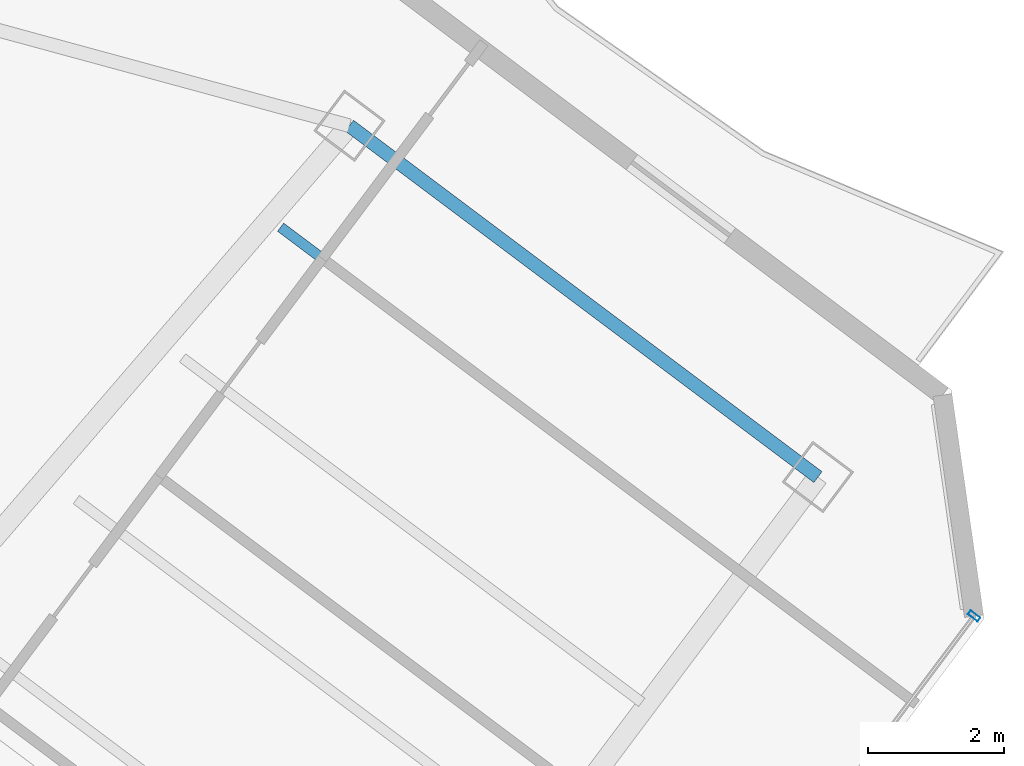
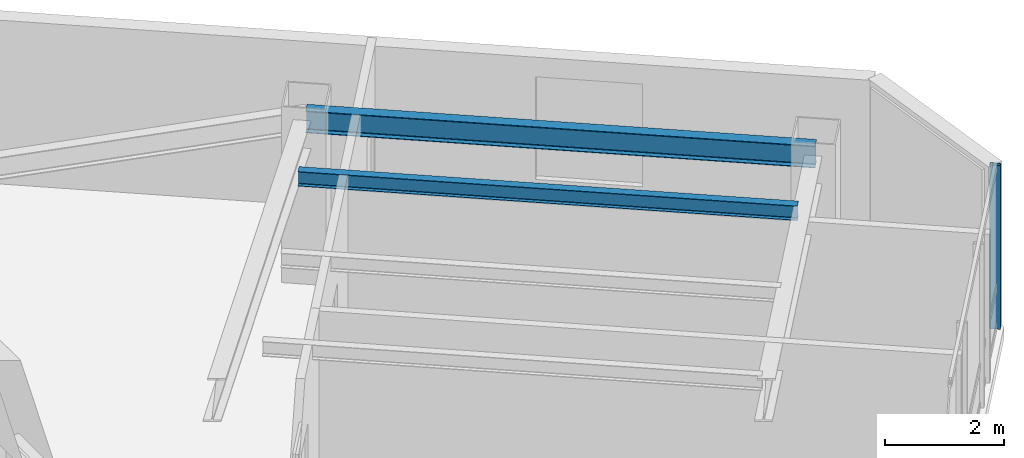
# One storey, part 14 of 26: 2 beams, 1 member, 1 element without a shape of its own.
"""IFC4 building model written with IfcOpenShell, lengths in metres."""

from ifc_helpers import new_model, si_unit, direction, frame, origin, origin_2d, place, context, subcontext, project, spatial, hollow_rectangle, i_section, extrude, material, layer, layer_set, material_profile, profile_set, type_object, element, aggregate, save


model = new_model("IFC4")

# Units and contexts
model_context = context("Model", 3, precision=1e-05, world=origin(), true_north=direction((0.0, 1.0)))
body_context = subcontext(model_context, "Body", "Model", "MODEL_VIEW")
ifc_project = project(units=[si_unit("LENGTHUNIT", "METRE"), si_unit("AREAUNIT", "SQUARE_METRE"), si_unit("VOLUMEUNIT", "CUBIC_METRE"), si_unit("PLANEANGLEUNIT", "RADIAN"), si_unit("MASSUNIT", "GRAM", prefix="KILO")], contexts=[model_context])

# Site, building, storey
site_placement = place(None, origin())
site = spatial("IfcSite", under=ifc_project, at=site_placement, CompositionType="ELEMENT")
building_placement = place(site_placement, origin())
building = spatial("IfcBuilding", under=site, at=building_placement, Name="Hatsunagi Terrace Concourse", CompositionType="ELEMENT")
storey_placement = place(building_placement, frame((0.0, 0.0, 195.14990234375)))
storey = spatial("IfcBuildingStorey", under=building, at=storey_placement, Name="L51", CompositionType="ELEMENT", Elevation=195.14990234375)

# Curtain wall, member
ifc_material_1 = material(Name="Anodised Aluminium Alloy 6063-T5", Category="aluminium")
ifc_layer = layer(ifc_material_1, 0.199951171875)
ifc_layer_set = layer_set([ifc_layer], Name="OfficeZone2_CW04")
curtain_wall_type = type_object("IfcCurtainWallType", Name="OfficeZone2_CW04", PredefinedType="NOTDEFINED", material=ifc_layer_set)
curtain_wall_placement = place(storey_placement, origin())
curtain_wall = element("IfcCurtainWall", 1, at=curtain_wall_placement, inside=storey, type_object=curtain_wall_type, Name="Unitised Curtain Wall CW-04 CW-L51-03", PredefinedType="NOTDEFINED")
ifc_material_2 = material(Name="Anodised Aluminium Alloy 6063-T5", Category="aluminium")
ifc_material_profile_1 = material_profile(ifc_material_2, hollow_rectangle(XDim=0.070068359375, YDim=0.179931640625, WallThickness=0.00390625, at=origin_2d()), Name="ALU-MUL-180x70x4")
ifc_profile_set_1 = profile_set([ifc_material_profile_1], Name="Anodised Aluminium Alloy 6063-T5")
member_type = type_object("IfcMemberType", Name="CurtainWallMullion_180x70", PredefinedType="MULLION", material=ifc_profile_set_1)
member_placement = place(storey_placement, frame((60.693115234375, 25.9580078125, 0.0), z_axis=(0.0, 0.0, 1.0), x_axis=(-0.599969314634, -0.800023013105, 0.0)))
member = element("IfcMember", 2, at=member_placement, type_object=member_type, Name="Curtain Wall Mullion MUL-02", PredefinedType="MULLION", context=body_context, shape_type="SweptSolid", body=[
    extrude(hollow_rectangle(XDim=0.070068359375, YDim=0.179931640625, WallThickness=0.00390625, at=origin_2d()), origin(), (0.0, 0.0, 1.0), 3.35009765625),
])
aggregate(curtain_wall, [member])

# Beams
ifc_material_3 = material(Name="Steel SN490B", Category="steel")
ifc_material_profile_2 = material_profile(ifc_material_3, i_section(OverallWidth=0.14990234375, OverallDepth=0.300048828125, WebThickness=0.006591796875, FlangeThickness=0.009033203125, FilletRadius=0.010986328125, at=origin_2d()), Name="H-300x150x6.5x9")
ifc_profile_set_2 = profile_set([ifc_material_profile_2], Name="Steel SN490B")
beam_type_1 = type_object("IfcBeamType", Name="OfficeJoist_H_300x150", PredefinedType="JOIST", material=ifc_profile_set_2)
beam_1_placement = place(storey_placement, frame((50.508056640625, 31.6689453125, 3.2001953125), z_axis=(0.800003475366, -0.59999536615, 0.0), x_axis=(0.59999536615, 0.800003475366, 0.0)))
element("IfcBeam", 3, at=beam_1_placement, inside=storey, type_object=beam_type_1, Name="Beam J-03 J-L51-SE-2-218", PredefinedType="JOIST", context=body_context, shape_type="SweptSolid", body=[
    extrude(i_section(OverallWidth=0.14990234375, OverallDepth=0.300048828125, WebThickness=0.006591796875, FlangeThickness=0.009033203125, FilletRadius=0.010986328125, at=origin_2d()), origin(), (0.0, 0.0, 1.0), 8.429931640625),
])
ifc_material_4 = material(Name="Steel SN490B", Category="steel")
ifc_material_profile_3 = material_profile(ifc_material_4, i_section(OverallWidth=0.199951171875, OverallDepth=0.449951171875, WebThickness=0.009033203125, FlangeThickness=0.013916015625, FilletRadius=0.01611328125, at=origin_2d()), Name="H-450x200x9x14")
ifc_profile_set_3 = profile_set([ifc_material_profile_3], Name="Steel SN490B")
beam_type_2 = type_object("IfcBeamType", Name="PerimeterSpandrel_H_450x200", PredefinedType="SPANDREL", material=ifc_profile_set_3)
beam_2_placement = place(storey_placement, frame((51.52001953125, 33.159912109375, 3.125), z_axis=(0.8, -0.6, 0.0), x_axis=(0.6, 0.8, 0.0)))
element("IfcBeam", 4, at=beam_2_placement, inside=storey, type_object=beam_type_2, Name="Beam SP-02 BM-L51-SE-NE2", PredefinedType="SPANDREL", context=body_context, shape_type="SweptSolid", body=[
    extrude(i_section(OverallWidth=0.199951171875, OverallDepth=0.449951171875, WebThickness=0.009033203125, FlangeThickness=0.013916015625, FilletRadius=0.01611328125, at=origin_2d()), origin(), (0.0, 0.0, 1.0), 8.599853515625),
])

save(model, "model.ifc")
